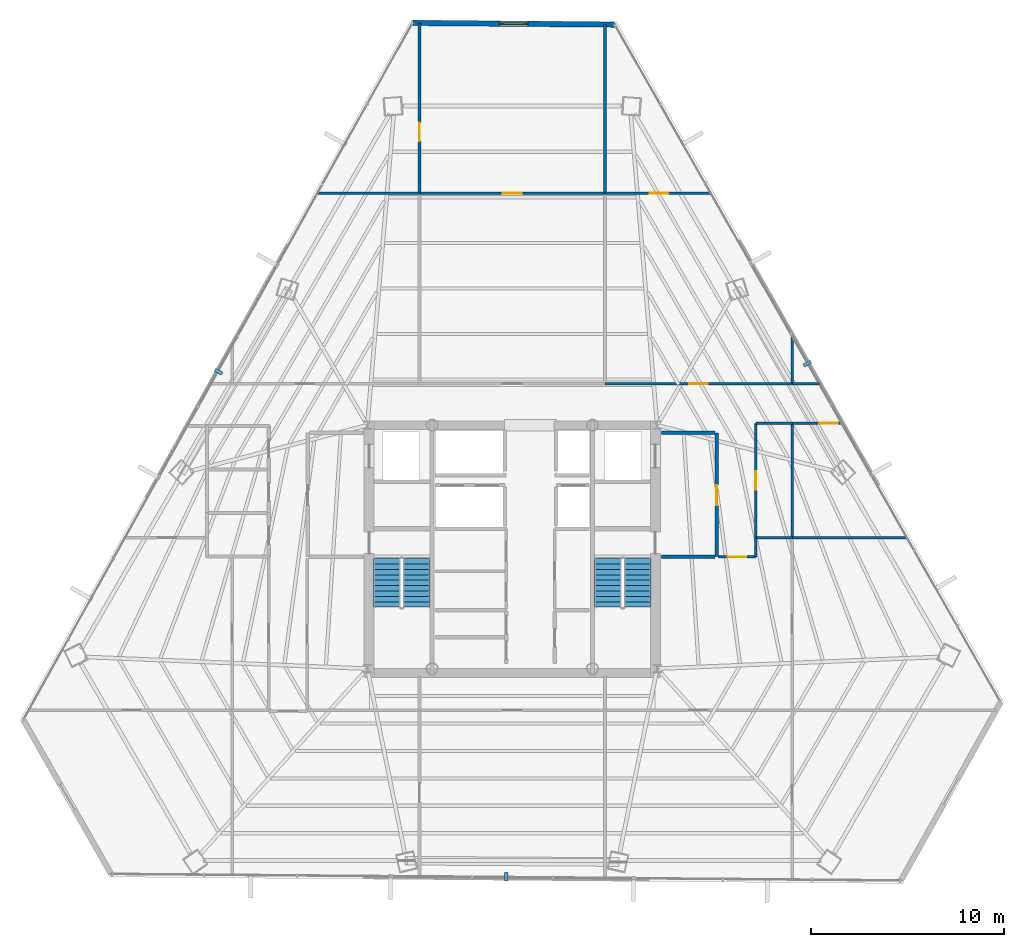
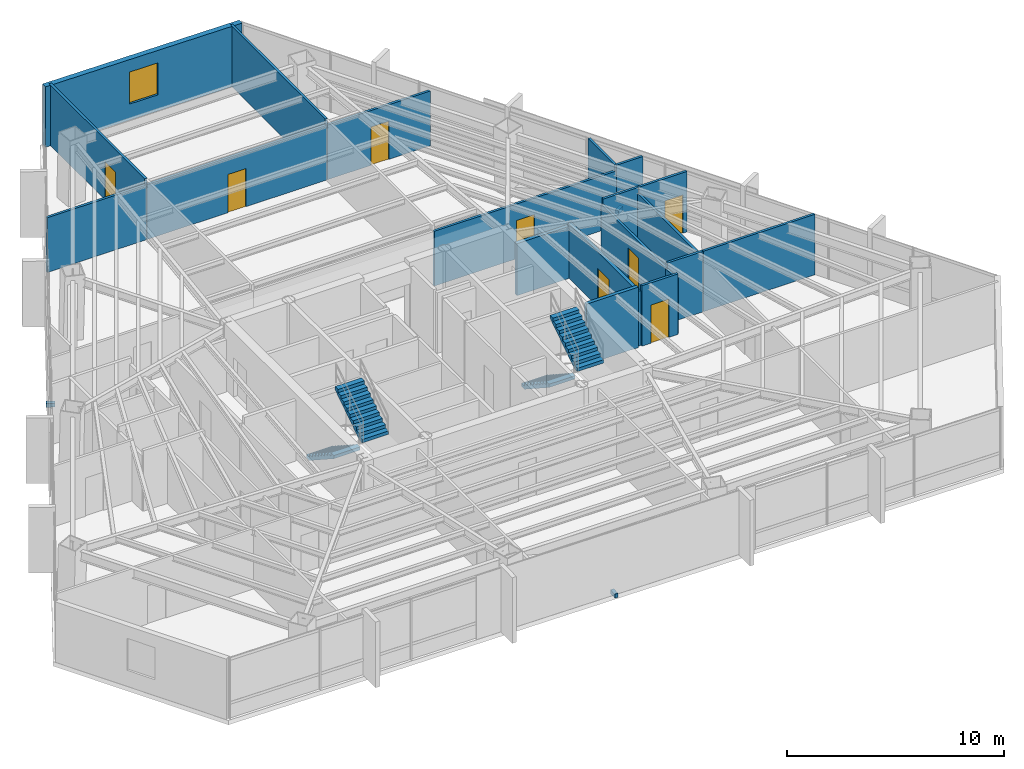
# One storey, part 35 of 38: 20 walls, 8 doors, 4 stair flights, 3 discrete accessories, 1 window, 9 openings, 2 elements without a shape of their own.
"""IFC4 building model written with IfcOpenShell, lengths in metres."""

from ifc_helpers import new_model, si_unit, direction, frame, frame_2d, origin, origin_2d, place, context, subcontext, project, spatial, polyline, rectangle, outline, extrude, source, transform, mapped, material, layer, layer_set, type_object, type_shapes, element, fill, aggregate, save


model = new_model("IFC4")

# Units and contexts
model_context = context("Model", 3, precision=1e-05, world=origin(), true_north=direction((0.0, 1.0)))
body_context = subcontext(model_context, "Body", "Model", "MODEL_VIEW")
ifc_project = project(units=[si_unit("LENGTHUNIT", "METRE"), si_unit("AREAUNIT", "SQUARE_METRE"), si_unit("VOLUMEUNIT", "CUBIC_METRE"), si_unit("PLANEANGLEUNIT", "RADIAN"), si_unit("MASSUNIT", "GRAM", prefix="KILO")], contexts=[model_context])

# Site, building, storey
site_placement = place(None, origin())
site = spatial("IfcSite", under=ifc_project, at=site_placement, CompositionType="ELEMENT")
building_placement = place(site_placement, origin())
building = spatial("IfcBuilding", under=site, at=building_placement, Name="Caelisora Broadcast Tower", CompositionType="ELEMENT")
storey_placement = place(building_placement, frame((0.0, 0.0, 158.5)))
storey = spatial("IfcBuildingStorey", under=building, at=storey_placement, Name="L41", CompositionType="ELEMENT", Elevation=158.5)

# Wall, opening, window
ifc_material_1 = material(Name="Insulated Terracotta Spandrel Wall System", Category="masonry")
ifc_layer_1 = layer(ifc_material_1, 0.280029296875, Name="Insulated Terracotta Spandrel Wall System")
ifc_layer_set_1 = layer_set([ifc_layer_1], Name="Insulated Terracotta Spandrel Wall System")
wall_type_1 = type_object("IfcWallType", Name="EW1", PredefinedType="STANDARD", material=ifc_layer_set_1)
wall_1_placement = place(storey_placement, frame((32.873046875, 50.81884765625, 0.0), z_axis=(0.0, 0.0, 1.0), x_axis=(0.999966100553, -0.008233938614, 0.0)))
wall_1 = element("IfcWall", 1, at=wall_1_placement, inside=storey, type_object=wall_type_1, Name="L41 exterior envelope wall EW1", PredefinedType="STANDARD", context=body_context, shape_type="SweptSolid", body=[
    extrude(rectangle(XDim=10.4072265625, YDim=0.280029296875, at=frame_2d((5.20361328125, 0.0))), origin(), (0.0, 0.0, 1.0), 3.39990234375),
])
opening_1_placement = place(wall_1_placement, frame((4.449951171875, 0.0, 0.89990234375)))
opening_1 = element("IfcOpeningElement", 2, at=opening_1_placement, cuts=wall_1, Name="Opening W02", PredefinedType="OPENING", context=body_context, shape_type="SweptSolid", body=[
    extrude(rectangle(XDim=1.5, YDim=1.800048828125, at=frame_2d((0.75, 0.89990234375))), frame((0.0, 0.152099609375, 0.0), z_axis=(0.0, -1.0, 0.0), x_axis=(1.0, 0.0, 0.0)), (0.0, 0.0, 1.0), 0.303955078125),
])
ifc_material_2 = material(Name="Double Glazed Terracotta-Framed Vision Window", Category="glass")
window_type = type_object("IfcWindowType", Name="W02", PartitioningType="SINGLE_PANEL", PredefinedType="WINDOW", material=ifc_material_2)
window_placement = place(opening_1_placement, origin())
window = element("IfcWindow", 3, at=window_placement, inside=storey, type_object=window_type, Name="L41 window W02 (L41-WN-CH8)", OverallHeight=1.800048828125, OverallWidth=1.5, PartitioningType="SINGLE_PANEL", PredefinedType="WINDOW", context=body_context, shape_type="SweptSolid", body=[
    extrude(rectangle(XDim=1.5, YDim=1.800048828125, at=frame_2d((0.75, 0.89990234375))), frame((0.0, 0.030029296875, 0.0), z_axis=(0.0, -1.0, 0.0), x_axis=(1.0, 0.0, 0.0)), (0.0, 0.0, 1.0), 0.06005859375),
])
fill(opening_1, window)

# Wall, opening, door
ifc_material_3 = material(Name="Fire-Rated Gypsum Shaft and Compartment Wall", Category="gypsum")
ifc_layer_2 = layer(ifc_material_3, 0.179931640625, Name="Fire-Rated Gypsum Shaft and Compartment Wall")
ifc_layer_set_2 = layer_set([ifc_layer_2], Name="Fire-Rated Gypsum Shaft and Compartment Wall")
wall_type_2 = type_object("IfcWallType", Name="PW2", PredefinedType="PARTITIONING", material=ifc_layer_set_2)
wall_2_placement = place(storey_placement, frame((48.580078125, 23.199951171875, 0.0), z_axis=(0.0, 0.0, 1.0), x_axis=(0.0, 1.0, 0.0)))
wall_2 = element("IfcWall", 4, at=wall_2_placement, inside=storey, type_object=wall_type_2, Name="L41 fire compartment wall PW2", PredefinedType="PARTITIONING", context=body_context, shape_type="SweptSolid", body=[
    extrude(rectangle(XDim=6.400146484375, YDim=0.179931640625, at=frame_2d((3.2001953125, 0.0))), origin(), (0.0, 0.0, 1.0), 3.077880859375),
])
opening_2_placement = place(wall_2_placement, frame((2.64990234375, 0.0, 0.0)))
opening_2 = element("IfcOpeningElement", 5, at=opening_2_placement, cuts=wall_2, Name="Opening FD02", PredefinedType="OPENING", context=body_context, shape_type="SweptSolid", body=[
    extrude(rectangle(XDim=1.050048828125, YDim=2.14990234375, at=frame_2d((0.52490234375, 1.074951171875))), frame((0.0, 0.10205078125, 0.0), z_axis=(0.0, -1.0, 0.0), x_axis=(1.0, 0.0, 0.0)), (0.0, 0.0, 1.0), 0.203857421875),
])
ifc_material_4 = material(Name="Single-Leaf Steel Fire Lobby Door", Category="steel")
door_type_1 = type_object("IfcDoorType", Name="FD02", OperationType="NOTDEFINED", PredefinedType="DOOR", material=ifc_material_4)
door_1_placement = place(opening_2_placement, origin())
door_1 = element("IfcDoor", 6, at=door_1_placement, inside=storey, type_object=door_type_1, Name="L41 door FD02 (L41-DR-P04D1)", OperationType="SINGLE_SWING_RIGHT", OverallHeight=2.14990234375, OverallWidth=1.050048828125, PredefinedType="DOOR", context=body_context, shape_type="SweptSolid", body=[
    extrude(rectangle(XDim=1.050048828125, YDim=2.14990234375, at=frame_2d((0.52490234375, 1.074951171875))), frame((0.0, 0.02490234375, 0.0), z_axis=(0.0, -1.0, 0.0), x_axis=(1.0, 0.0, 0.0)), (0.0, 0.0, 1.0), 0.050048828125),
])
fill(opening_2, door_1)

# Walls
wall_3_placement = place(storey_placement, frame((45.719970703125, 23.199951171875, 0.0), z_axis=(0.0, 0.0, 1.0), x_axis=(1.0, 0.0, 0.0)))
element("IfcWall", 7, at=wall_3_placement, inside=storey, type_object=wall_type_2, Name="L41 fire compartment wall PW2", PredefinedType="PARTITIONING", context=body_context, shape_type="SweptSolid", body=[
    extrude(rectangle(XDim=2.760009765625, YDim=0.179931640625, at=frame_2d((1.3798828125, 0.0))), origin(), (0.0, 0.0, 1.0), 3.39990234375),
])
wall_4_placement = place(storey_placement, frame((45.719970703125, 29.60009765625, 0.0), z_axis=(0.0, 0.0, 1.0), x_axis=(1.0, 0.0, 0.0)))
element("IfcWall", 8, at=wall_4_placement, inside=storey, type_object=wall_type_2, Name="L41 fire compartment wall PW2", PredefinedType="PARTITIONING", context=body_context, shape_type="SweptSolid", body=[
    extrude(rectangle(XDim=2.760009765625, YDim=0.179931640625, at=frame_2d((1.3798828125, 0.0))), origin(), (0.0, 0.0, 1.0), 2.924560546875),
])

# Wall, opening, door
ifc_material_5 = material(Name="Acoustic Steel-Stud Plasterboard Partition", Category="gypsum")
ifc_layer_3 = layer(ifc_material_5, 0.1298828125, Name="Acoustic Steel-Stud Plasterboard Partition")
ifc_layer_set_3 = layer_set([ifc_layer_3], Name="Acoustic Steel-Stud Plasterboard Partition")
wall_type_3 = type_object("IfcWallType", Name="PW3", PredefinedType="PARTITIONING", material=ifc_layer_set_3)
wall_5_placement = place(storey_placement, frame((42.804931640625, 32.14990234375, 0.0), z_axis=(0.0, 0.0, 1.0), x_axis=(1.0, 0.0, 0.0)))
wall_5 = element("IfcWall", 9, at=wall_5_placement, inside=storey, type_object=wall_type_3, Name="L41 internal partition PW3", PredefinedType="PARTITIONING", context=body_context, shape_type="SweptSolid", body=[
    extrude(rectangle(XDim=9.690185546875, YDim=0.1298828125, at=frame_2d((4.84521484375, 0.0))), origin(), (0.0, 0.0, 1.0), 3.077880859375),
])
opening_3_placement = place(wall_5_placement, frame((4.364990234375, 0.0, 0.0)))
opening_3 = element("IfcOpeningElement", 10, at=opening_3_placement, cuts=wall_5, Name="Opening D01", PredefinedType="OPENING", context=body_context, shape_type="SweptSolid", body=[
    extrude(rectangle(XDim=0.9599609375, YDim=2.14990234375, at=frame_2d((0.47998046875, 1.074951171875))), frame((0.0, 0.076904296875, 0.0), z_axis=(0.0, -1.0, 0.0), x_axis=(1.0, 0.0, 0.0)), (0.0, 0.0, 1.0), 0.15380859375),
])
ifc_material_6 = material(Name="Solid-Core Timber Acoustic Office Door", Category="wood")
door_type_2 = type_object("IfcDoorType", Name="D01", OperationType="NOTDEFINED", PredefinedType="DOOR", material=ifc_material_6)
door_2_placement = place(opening_3_placement, origin())
door_2 = element("IfcDoor", 11, at=door_2_placement, inside=storey, type_object=door_type_2, Name="L41 door D01 (L41-DR-P36D1)", OperationType="SINGLE_SWING_RIGHT", OverallHeight=2.14990234375, OverallWidth=0.9599609375, PredefinedType="DOOR", context=body_context, shape_type="SweptSolid", body=[
    extrude(rectangle(XDim=0.9599609375, YDim=2.14990234375, at=frame_2d((0.47998046875, 1.074951171875))), frame((0.0, 0.02490234375, 0.0), z_axis=(0.0, -1.0, 0.0), x_axis=(1.0, 0.0, 0.0)), (0.0, 0.0, 1.0), 0.050048828125),
])
fill(opening_3, door_2)

wall_6_placement = place(storey_placement, frame((33.205078125, 42.0, 0.0), z_axis=(0.0, 0.0, 1.0), x_axis=(1.0, 0.0, 0.0)))
wall_6 = element("IfcWall", 12, at=wall_6_placement, inside=storey, type_object=wall_type_3, Name="L41 internal partition PW3", PredefinedType="PARTITIONING", context=body_context, shape_type="SweptSolid", body=[
    extrude(rectangle(XDim=9.58984375, YDim=0.1298828125, at=frame_2d((4.794921875, 0.0))), origin(), (0.0, 0.0, 1.0), 3.077880859375),
])
opening_4_placement = place(wall_6_placement, frame((4.31494140625, 0.0, 0.0)))
opening_4 = element("IfcOpeningElement", 13, at=opening_4_placement, cuts=wall_6, Name="Opening D01", PredefinedType="OPENING", context=body_context, shape_type="SweptSolid", body=[
    extrude(rectangle(XDim=0.9599609375, YDim=2.14990234375, at=frame_2d((0.47998046875, 1.074951171875))), frame((0.0, 0.076904296875, 0.0), z_axis=(0.0, -1.0, 0.0), x_axis=(1.0, 0.0, 0.0)), (0.0, 0.0, 1.0), 0.15380859375),
])
door_3_placement = place(opening_4_placement, origin())
door_3 = element("IfcDoor", 14, at=door_3_placement, inside=storey, type_object=door_type_2, Name="L41 door D01 (L41-DR-P40D1)", OperationType="SINGLE_SWING_RIGHT", OverallHeight=2.14990234375, OverallWidth=0.9599609375, PredefinedType="DOOR", context=body_context, shape_type="SweptSolid", body=[
    extrude(rectangle(XDim=0.9599609375, YDim=2.14990234375, at=frame_2d((0.47998046875, 1.074951171875))), frame((0.0, 0.02490234375, 0.0), z_axis=(0.0, -1.0, 0.0), x_axis=(1.0, 0.0, 0.0)), (0.0, 0.0, 1.0), 0.050048828125),
])
fill(opening_4, door_3)

wall_7_placement = place(storey_placement, frame((33.199951171875, 42.0048828125, 0.0), z_axis=(0.0, 0.0, 1.0), x_axis=(0.0, 1.0, 0.0)))
wall_7 = element("IfcWall", 15, at=wall_7_placement, inside=storey, type_object=wall_type_3, Name="L41 internal partition PW3", PredefinedType="PARTITIONING", context=body_context, shape_type="SweptSolid", body=[
    extrude(rectangle(XDim=8.81640625, YDim=0.1298828125, at=frame_2d((4.408203125, 0.0))), origin(), (0.0, 0.0, 1.0), 3.39990234375),
])
opening_5_placement = place(wall_7_placement, frame((2.699951171875, 0.0, 0.0)))
opening_5 = element("IfcOpeningElement", 16, at=opening_5_placement, cuts=wall_7, Name="Opening D01", PredefinedType="OPENING", context=body_context, shape_type="SweptSolid", body=[
    extrude(rectangle(XDim=0.9599609375, YDim=2.14990234375, at=frame_2d((0.47998046875, 1.074951171875))), frame((0.0, 0.076904296875, 0.0), z_axis=(0.0, -1.0, 0.0), x_axis=(1.0, 0.0, 0.0)), (0.0, 0.0, 1.0), 0.15380859375),
])
door_4_placement = place(opening_5_placement, origin())
door_4 = element("IfcDoor", 17, at=door_4_placement, inside=storey, type_object=door_type_2, Name="L41 door D01 (L41-DR-P42D1)", OperationType="SINGLE_SWING_RIGHT", OverallHeight=2.14990234375, OverallWidth=0.9599609375, PredefinedType="DOOR", context=body_context, shape_type="SweptSolid", body=[
    extrude(rectangle(XDim=0.9599609375, YDim=2.14990234375, at=frame_2d((0.47998046875, 1.074951171875))), frame((0.0, 0.02490234375, 0.0), z_axis=(0.0, -1.0, 0.0), x_axis=(1.0, 0.0, 0.0)), (0.0, 0.0, 1.0), 0.050048828125),
])
fill(opening_5, door_4)

# Walls
wall_8_placement = place(storey_placement, frame((42.800048828125, 42.0048828125, 0.0), z_axis=(0.0, 0.0, 1.0), x_axis=(0.0, 1.0, 0.0)))
element("IfcWall", 18, at=wall_8_placement, inside=storey, type_object=wall_type_3, Name="L41 internal partition PW3", PredefinedType="PARTITIONING", context=body_context, shape_type="SweptSolid", body=[
    extrude(rectangle(XDim=8.737060546875, YDim=0.1298828125, at=frame_2d((4.36865234375, 0.0))), origin(), (0.0, 0.0, 1.0), 3.39990234375),
])
wall_9_placement = place(storey_placement, frame((52.5048828125, 24.169921875, 0.0), z_axis=(0.0, 0.0, 1.0), x_axis=(1.0, 0.0, 0.0)))
element("IfcWall", 19, at=wall_9_placement, inside=storey, type_object=wall_type_3, Name="L41 internal partition PW3", PredefinedType="PARTITIONING", context=body_context, shape_type="SweptSolid", body=[
    extrude(rectangle(XDim=5.93701171875, YDim=0.1298828125, at=frame_2d((2.968505859375, 0.0))), origin(), (0.0, 0.0, 1.0), 3.39990234375),
])

# Wall, opening, door
wall_10_placement = place(storey_placement, frame((50.60009765625, 24.175048828125, 0.0), z_axis=(0.0, 0.0, 1.0), x_axis=(0.0, 1.0, 0.0)))
wall_10 = element("IfcWall", 20, at=wall_10_placement, inside=storey, type_object=wall_type_3, Name="L41 internal partition PW3", PredefinedType="PARTITIONING", context=body_context, shape_type="SweptSolid", body=[
    extrude(rectangle(XDim=5.919921875, YDim=0.1298828125, at=frame_2d((2.9599609375, 0.0))), origin(), (0.0, 0.0, 1.0), 3.077880859375),
])
opening_6_placement = place(wall_10_placement, frame((2.47998046875, 0.0, 0.0)))
opening_6 = element("IfcOpeningElement", 21, at=opening_6_placement, cuts=wall_10, Name="Opening D01", PredefinedType="OPENING", context=body_context, shape_type="SweptSolid", body=[
    extrude(rectangle(XDim=0.9599609375, YDim=2.14990234375, at=frame_2d((0.47998046875, 1.074951171875))), frame((0.0, 0.076904296875, 0.0), z_axis=(0.0, -1.0, 0.0), x_axis=(1.0, 0.0, 0.0)), (0.0, 0.0, 1.0), 0.15380859375),
])
door_5_placement = place(opening_6_placement, origin())
door_5 = element("IfcDoor", 22, at=door_5_placement, inside=storey, type_object=door_type_2, Name="L41 door D01 (L41-DR-P53D1)", OperationType="SINGLE_SWING_RIGHT", OverallHeight=2.14990234375, OverallWidth=0.9599609375, PredefinedType="DOOR", context=body_context, shape_type="SweptSolid", body=[
    extrude(rectangle(XDim=0.9599609375, YDim=2.14990234375, at=frame_2d((0.47998046875, 1.074951171875))), frame((0.0, 0.02490234375, 0.0), z_axis=(0.0, -1.0, 0.0), x_axis=(1.0, 0.0, 0.0)), (0.0, 0.0, 1.0), 0.050048828125),
])
fill(opening_6, door_5)

# Wall
wall_11_placement = place(storey_placement, frame((52.5, 24.175048828125, 0.0), z_axis=(0.0, 0.0, 1.0), x_axis=(0.0, 1.0, 0.0)))
element("IfcWall", 23, at=wall_11_placement, inside=storey, type_object=wall_type_3, Name="L41 internal partition PW3", PredefinedType="PARTITIONING", context=body_context, shape_type="SweptSolid", body=[
    extrude(rectangle(XDim=5.919921875, YDim=0.1298828125, at=frame_2d((2.9599609375, 0.0))), origin(), (0.0, 0.0, 1.0), 3.077880859375),
])

# Wall, opening, door
wall_12_placement = place(storey_placement, frame((42.804931640625, 42.0, 0.0), z_axis=(0.0, 0.0, 1.0), x_axis=(1.0, 0.0, 0.0)))
wall_12 = element("IfcWall", 24, at=wall_12_placement, inside=storey, type_object=wall_type_3, Name="L41 internal partition PW3", PredefinedType="PARTITIONING", context=body_context, shape_type="SweptSolid", body=[
    extrude(rectangle(XDim=5.48388671875, YDim=0.1298828125, at=frame_2d((2.741943359375, 0.0))), origin(), (0.0, 0.0, 1.0), 3.077880859375),
])
opening_7_placement = place(wall_12_placement, frame((2.31689453125, 0.0, 0.0)))
opening_7 = element("IfcOpeningElement", 25, at=opening_7_placement, cuts=wall_12, Name="Opening D01", PredefinedType="OPENING", context=body_context, shape_type="SweptSolid", body=[
    extrude(rectangle(XDim=0.9599609375, YDim=2.14990234375, at=frame_2d((0.47998046875, 1.074951171875))), frame((0.0, 0.076904296875, 0.0), z_axis=(0.0, -1.0, 0.0), x_axis=(1.0, 0.0, 0.0)), (0.0, 0.0, 1.0), 0.15380859375),
])
door_6_placement = place(opening_7_placement, origin())
door_6 = element("IfcDoor", 26, at=door_6_placement, inside=storey, type_object=door_type_2, Name="L41 door D01 (L41-DR-P56D1)", OperationType="SINGLE_SWING_LEFT", OverallHeight=2.14990234375, OverallWidth=0.9599609375, PredefinedType="DOOR", context=body_context, shape_type="SweptSolid", body=[
    extrude(rectangle(XDim=0.9599609375, YDim=2.14990234375, at=frame_2d((0.47998046875, 1.074951171875))), frame((0.0, 0.02490234375, 0.0), z_axis=(0.0, -1.0, 0.0), x_axis=(1.0, 0.0, 0.0)), (0.0, 0.0, 1.0), 0.050048828125),
])
fill(opening_7, door_6)

# Wall
wall_13_placement = place(storey_placement, frame((27.91162109375, 42.0, 0.0), z_axis=(0.0, 0.0, 1.0), x_axis=(1.0, 0.0, 0.0)))
element("IfcWall", 27, at=wall_13_placement, inside=storey, type_object=wall_type_3, Name="L41 internal partition PW3", PredefinedType="PARTITIONING", context=body_context, shape_type="SweptSolid", body=[
    extrude(rectangle(XDim=5.283447265625, YDim=0.1298828125, at=frame_2d((2.6416015625, 0.0))), origin(), (0.0, 0.0, 1.0), 3.077880859375),
])

# Wall, opening, door
wall_14_placement = place(storey_placement, frame((52.5048828125, 30.10009765625, 0.0), z_axis=(0.0, 0.0, 1.0), x_axis=(1.0, 0.0, 0.0)))
wall_14 = element("IfcWall", 28, at=wall_14_placement, inside=storey, type_object=wall_type_3, Name="L41 internal partition PW3", PredefinedType="PARTITIONING", context=body_context, shape_type="SweptSolid", body=[
    extrude(rectangle(XDim=2.560302734375, YDim=0.1298828125, at=frame_2d((1.2802734375, 0.0))), origin(), (0.0, 0.0, 1.0), 3.39990234375),
])
opening_8_placement = place(wall_14_placement, frame((1.380126953125, 0.0, 0.0)))
opening_8 = element("IfcOpeningElement", 29, at=opening_8_placement, cuts=wall_14, Name="Opening D01", PredefinedType="OPENING", context=body_context, shape_type="SweptSolid", body=[
    extrude(rectangle(XDim=0.9599609375, YDim=2.14990234375, at=frame_2d((0.47998046875, 1.074951171875))), frame((0.0, 0.076904296875, 0.0), z_axis=(0.0, -1.0, 0.0), x_axis=(1.0, 0.0, 0.0)), (0.0, 0.0, 1.0), 0.15380859375),
])
door_7_placement = place(opening_8_placement, origin())
door_7 = element("IfcDoor", 30, at=door_7_placement, inside=storey, type_object=door_type_2, Name="L41 door D01 (L41-DR-P59D1)", OperationType="SINGLE_SWING_LEFT", OverallHeight=2.14990234375, OverallWidth=0.9599609375, PredefinedType="DOOR", context=body_context, shape_type="SweptSolid", body=[
    extrude(rectangle(XDim=0.9599609375, YDim=2.14990234375, at=frame_2d((0.47998046875, 1.074951171875))), frame((0.0, 0.02490234375, 0.0), z_axis=(0.0, -1.0, 0.0), x_axis=(1.0, 0.0, 0.0)), (0.0, 0.0, 1.0), 0.050048828125),
])
fill(opening_8, door_7)

# Wall
wall_15_placement = place(storey_placement, frame((52.5, 34.604736328125, 0.0), z_axis=(0.0, 0.0, 1.0), x_axis=(0.0, -1.0, 0.0)))
element("IfcWall", 31, at=wall_15_placement, inside=storey, type_object=wall_type_3, Name="L41 internal partition PW3", PredefinedType="PARTITIONING", context=body_context, shape_type="SweptSolid", body=[
    extrude(rectangle(XDim=2.44970703125, YDim=0.1298828125, at=frame_2d((1.224853515625, 0.0))), origin(), (0.0, 0.0, 1.0), 3.39990234375),
])

# Wall, opening, door
wall_16_placement = place(storey_placement, frame((48.675048828125, 23.179931640625, 0.0), z_axis=(0.0, 0.0, 1.0), x_axis=(1.0, 0.0, 0.0)))
wall_16 = element("IfcWall", 32, at=wall_16_placement, inside=storey, type_object=wall_type_3, Name="L41 internal partition PW3", PredefinedType="PARTITIONING", context=body_context, shape_type="SweptSolid", body=[
    extrude(rectangle(XDim=1.919921875, YDim=0.1298828125, at=frame_2d((0.9599609375, 0.0))), origin(), (0.0, 0.0, 1.0), 3.39990234375),
])
opening_9_placement = place(wall_16_placement, frame((0.47998046875, 0.0, 0.0)))
opening_9 = element("IfcOpeningElement", 33, at=opening_9_placement, cuts=wall_16, Name="Opening D01", PredefinedType="OPENING", context=body_context, shape_type="SweptSolid", body=[
    extrude(rectangle(XDim=0.9599609375, YDim=2.14990234375, at=frame_2d((0.47998046875, 1.074951171875))), frame((0.0, 0.076904296875, 0.0), z_axis=(0.0, -1.0, 0.0), x_axis=(1.0, 0.0, 0.0)), (0.0, 0.0, 1.0), 0.15380859375),
])
door_8_placement = place(opening_9_placement, origin())
door_8 = element("IfcDoor", 34, at=door_8_placement, inside=storey, type_object=door_type_2, Name="L41 door D01 (L41-DR-P62D1)", OperationType="SINGLE_SWING_RIGHT", OverallHeight=2.14990234375, OverallWidth=0.9599609375, PredefinedType="DOOR", context=body_context, shape_type="SweptSolid", body=[
    extrude(rectangle(XDim=0.9599609375, YDim=2.14990234375, at=frame_2d((0.47998046875, 1.074951171875))), frame((0.0, 0.02490234375, 0.0), z_axis=(0.0, -1.0, 0.0), x_axis=(1.0, 0.0, 0.0)), (0.0, 0.0, 1.0), 0.050048828125),
])
fill(opening_9, door_8)

# Walls
for number, where, z_axis, x_axis, name in (
    (35, (50.60498046875, 30.10009765625, 0.0), (0.0, 0.0, 1.0), (1.0, 0.0, 0.0), "L41 internal partition PW3"),
    (36, (50.60498046875, 24.169921875, 0.0), (0.0, 0.0, 1.0), (1.0, 0.0, 0.0), "L41 internal partition PW3"),
):
    element("IfcWall", number, at=place(storey_placement, frame(where, z_axis=z_axis, x_axis=x_axis)), inside=storey, type_object=wall_type_3, Name=name, PredefinedType="PARTITIONING", context=body_context, shape_type="SweptSolid", body=[
        extrude(rectangle(XDim=1.89013671875, YDim=0.1298828125, at=frame_2d((0.945068359375, 0.0))), origin(), (0.0, 0.0, 1.0), 3.39990234375),
    ])
wall_17_placement = place(storey_placement, frame((52.5048828125, 32.14990234375, 0.0), z_axis=(0.0, 0.0, 1.0), x_axis=(1.0, 0.0, 0.0)))
element("IfcWall", 37, at=wall_17_placement, inside=storey, type_object=wall_type_3, Name="L41 internal partition PW3", PredefinedType="PARTITIONING", context=body_context, shape_type="SweptSolid", body=[
    extrude(rectangle(XDim=1.392822265625, YDim=0.1298828125, at=frame_2d((0.6962890625, 0.0))), origin(), (0.0, 0.0, 1.0), 3.39990234375),
])
wall_18_placement = place(storey_placement, frame((50.60009765625, 23.18505859375, 0.0), z_axis=(0.0, 0.0, 1.0), x_axis=(0.0, 1.0, 0.0)))
element("IfcWall", 38, at=wall_18_placement, inside=storey, type_object=wall_type_3, Name="L41 internal partition PW3", PredefinedType="PARTITIONING", context=body_context, shape_type="SweptSolid", body=[
    extrude(rectangle(XDim=0.97998046875, YDim=0.1298828125, at=frame_2d((0.489990234375, 0.0))), origin(), (0.0, 0.0, 1.0), 3.077880859375),
])

# Stair, stair flights
ifc_material_7 = material(Name="Concrete 40 MPa (AS 3600 N40)", Category="concrete")
stair_type_1 = type_object("IfcStairType", Name="ST-1", PredefinedType="HALF_TURN_STAIR", material=ifc_material_7)
stair_1_placement = place(storey_placement, origin())
stair_1 = element("IfcStair", 39, at=stair_1_placement, inside=storey, type_object=stair_type_1, Name="L41 West Fire-Isolated Tower Stair", PredefinedType="HALF_TURN_STAIR")
stair_flight_type = type_object("IfcStairFlightType", Name="STF-3", PredefinedType="STRAIGHT", material=ifc_material_7)
stair_flight_1_placement = place(storey_placement, frame((31.52001953125, 23.10009765625, 0.0), z_axis=(0.0, 0.0, 1.0), x_axis=(0.0, -1.0, 0.0)))
stair_flight_1 = element("IfcStairFlight", 40, at=stair_flight_1_placement, type_object=stair_flight_type, Name="ST-1 flight 1", NumberOfRisers=10, NumberOfTreads=9, PredefinedType="STRAIGHT", RiserHeight=0.1825, TreadLength=0.28, context=body_context, shape_type="SweptSolid", body=[
    extrude(outline(polyline([(0.0, 0.0), (0.0, 0.1826171875), (0.280029296875, 0.1826171875), (0.280029296875, 0.364990234375), (0.56005859375, 0.364990234375), (0.56005859375, 0.547607421875), (0.840087890625, 0.547607421875), (0.840087890625, 0.72998046875), (1.1201171875, 0.72998046875), (1.1201171875, 0.91259765625), (1.39990234375, 0.91259765625), (1.39990234375, 1.094970703125), (1.679931640625, 1.094970703125), (1.679931640625, 1.277587890625), (1.9599609375, 1.277587890625), (1.9599609375, 1.4599609375), (2.239990234375, 1.4599609375), (2.239990234375, 1.642578125), (2.52001953125, 1.642578125), (2.52001953125, 1.824951171875), (2.52001953125, 1.463623046875), (0.2744140625, 0.0), (0.0, 0.0)])), frame((0.0, 0.699951171875, 0.0), z_axis=(0.0, -1.0, 0.0), x_axis=(1.0, 0.0, 0.0)), (0.0, 0.0, 1.0), 1.39990234375),
])
stair_flight_2_placement = place(storey_placement, frame((33.0400390625, 20.580078125, 1.824951171875), z_axis=(0.0, 0.0, 1.0), x_axis=(0.0, 1.0, 0.0)))
stair_flight_2 = element("IfcStairFlight", 41, at=stair_flight_2_placement, type_object=stair_flight_type, Name="ST-1 flight 2", NumberOfRisers=10, NumberOfTreads=9, PredefinedType="STRAIGHT", RiserHeight=0.1825, TreadLength=0.28, context=body_context, shape_type="SweptSolid", body=[
    extrude(outline(polyline([(0.0, 0.0), (0.0, 0.1826171875), (0.280029296875, 0.1826171875), (0.280029296875, 0.364990234375), (0.56005859375, 0.364990234375), (0.56005859375, 0.547607421875), (0.840087890625, 0.547607421875), (0.840087890625, 0.72998046875), (1.1201171875, 0.72998046875), (1.1201171875, 0.91259765625), (1.39990234375, 0.91259765625), (1.39990234375, 1.094970703125), (1.679931640625, 1.094970703125), (1.679931640625, 1.277587890625), (1.9599609375, 1.277587890625), (1.9599609375, 1.4599609375), (2.239990234375, 1.4599609375), (2.239990234375, 1.642578125), (2.52001953125, 1.642578125), (2.52001953125, 1.824951171875), (2.52001953125, 1.463623046875), (0.2744140625, 0.0), (0.0, 0.0)])), frame((0.0, 0.699951171875, 0.0), z_axis=(0.0, -1.0, 0.0), x_axis=(1.0, 0.0, 0.0)), (0.0, 0.0, 1.0), 1.39990234375),
])
aggregate(stair_1, [stair_flight_1, stair_flight_2])

stair_type_2 = type_object("IfcStairType", Name="ST-2", PredefinedType="HALF_TURN_STAIR", material=ifc_material_7)
stair_2_placement = place(storey_placement, origin())
stair_2 = element("IfcStair", 42, at=stair_2_placement, inside=storey, type_object=stair_type_2, Name="L41 East Fire-Isolated Tower Stair", PredefinedType="HALF_TURN_STAIR")
stair_flight_3_placement = place(storey_placement, frame((42.9599609375, 23.10009765625, 0.0), z_axis=(0.0, 0.0, 1.0), x_axis=(0.0, -1.0, 0.0)))
stair_flight_3 = element("IfcStairFlight", 43, at=stair_flight_3_placement, type_object=stair_flight_type, Name="ST-2 flight 1", NumberOfRisers=10, NumberOfTreads=9, PredefinedType="STRAIGHT", RiserHeight=0.1825, TreadLength=0.28, context=body_context, shape_type="SweptSolid", body=[
    extrude(outline(polyline([(0.0, 0.0), (0.0, 0.1826171875), (0.280029296875, 0.1826171875), (0.280029296875, 0.364990234375), (0.56005859375, 0.364990234375), (0.56005859375, 0.547607421875), (0.840087890625, 0.547607421875), (0.840087890625, 0.72998046875), (1.1201171875, 0.72998046875), (1.1201171875, 0.91259765625), (1.39990234375, 0.91259765625), (1.39990234375, 1.094970703125), (1.679931640625, 1.094970703125), (1.679931640625, 1.277587890625), (1.9599609375, 1.277587890625), (1.9599609375, 1.4599609375), (2.239990234375, 1.4599609375), (2.239990234375, 1.642578125), (2.52001953125, 1.642578125), (2.52001953125, 1.824951171875), (2.52001953125, 1.463623046875), (0.2744140625, 0.0), (0.0, 0.0)])), frame((0.0, 0.699951171875, 0.0), z_axis=(0.0, -1.0, 0.0), x_axis=(1.0, 0.0, 0.0)), (0.0, 0.0, 1.0), 1.39990234375),
])
stair_flight_4_placement = place(storey_placement, frame((44.47998046875, 20.580078125, 1.824951171875), z_axis=(0.0, 0.0, 1.0), x_axis=(0.0, 1.0, 0.0)))
stair_flight_4 = element("IfcStairFlight", 44, at=stair_flight_4_placement, type_object=stair_flight_type, Name="ST-2 flight 2", NumberOfRisers=10, NumberOfTreads=9, PredefinedType="STRAIGHT", RiserHeight=0.1825, TreadLength=0.28, context=body_context, shape_type="SweptSolid", body=[
    extrude(outline(polyline([(0.0, 0.0), (0.0, 0.1826171875), (0.280029296875, 0.1826171875), (0.280029296875, 0.364990234375), (0.56005859375, 0.364990234375), (0.56005859375, 0.547607421875), (0.840087890625, 0.547607421875), (0.840087890625, 0.72998046875), (1.1201171875, 0.72998046875), (1.1201171875, 0.91259765625), (1.39990234375, 0.91259765625), (1.39990234375, 1.094970703125), (1.679931640625, 1.094970703125), (1.679931640625, 1.277587890625), (1.9599609375, 1.277587890625), (1.9599609375, 1.4599609375), (2.239990234375, 1.4599609375), (2.239990234375, 1.642578125), (2.52001953125, 1.642578125), (2.52001953125, 1.824951171875), (2.52001953125, 1.463623046875), (0.2744140625, 0.0), (0.0, 0.0)])), frame((0.0, 0.699951171875, 0.0), z_axis=(0.0, -1.0, 0.0), x_axis=(1.0, 0.0, 0.0)), (0.0, 0.0, 1.0), 1.39990234375),
])
aggregate(stair_2, [stair_flight_3, stair_flight_4])

# Discrete accessories
ifc_material_8 = material(Name="Steel Grade 350 (AS/NZS 3679.1)", Category="steel")
discrete_accessory_type = type_object("IfcDiscreteAccessoryType", Name="BRK-1", PredefinedType="BRACKET", material=ifc_material_8)
shared_shape = source(origin(), body_context, "Body", "SweptSolid", [
    extrude(rectangle(XDim=0.179931640625, YDim=0.419921875, at=origin_2d()), origin(), (0.0, 0.0, 1.0), 0.219970703125),
])
type_shapes(discrete_accessory_type, [shared_shape])
for number, where, z_axis, x_axis, name in (
    (45, (22.797119140625, 32.770263671875, -0.16015625), (0.0, 0.0, 1.0), (-0.487554922136, -0.873092319232, 0.0), "L41 solar screen outrigger bracket #1"),
    (46, (37.679443359375, 6.6298828125, -0.16015625), (0.0, 0.0, 1.0), (0.999964908278, -0.008377482415, 0.0), "L41 solar screen outrigger bracket #2"),
    (47, (53.26708984375, 33.18701171875, -0.16015625), (0.0, 0.0, 1.0), (-0.494852128545, 0.868977198133, 0.0), "L41 solar screen outrigger bracket #3"),
):
    element("IfcDiscreteAccessory", number, at=place(storey_placement, frame(where, z_axis=z_axis, x_axis=x_axis)), inside=storey, type_object=discrete_accessory_type, Name=name, PredefinedType="BRACKET", context=body_context, shape_type="MappedRepresentation", body=[
        mapped(shared_shape, transform((0.0, 0.0, 0.0), scale=1.0)),
    ])

save(model, "model.ifc")
